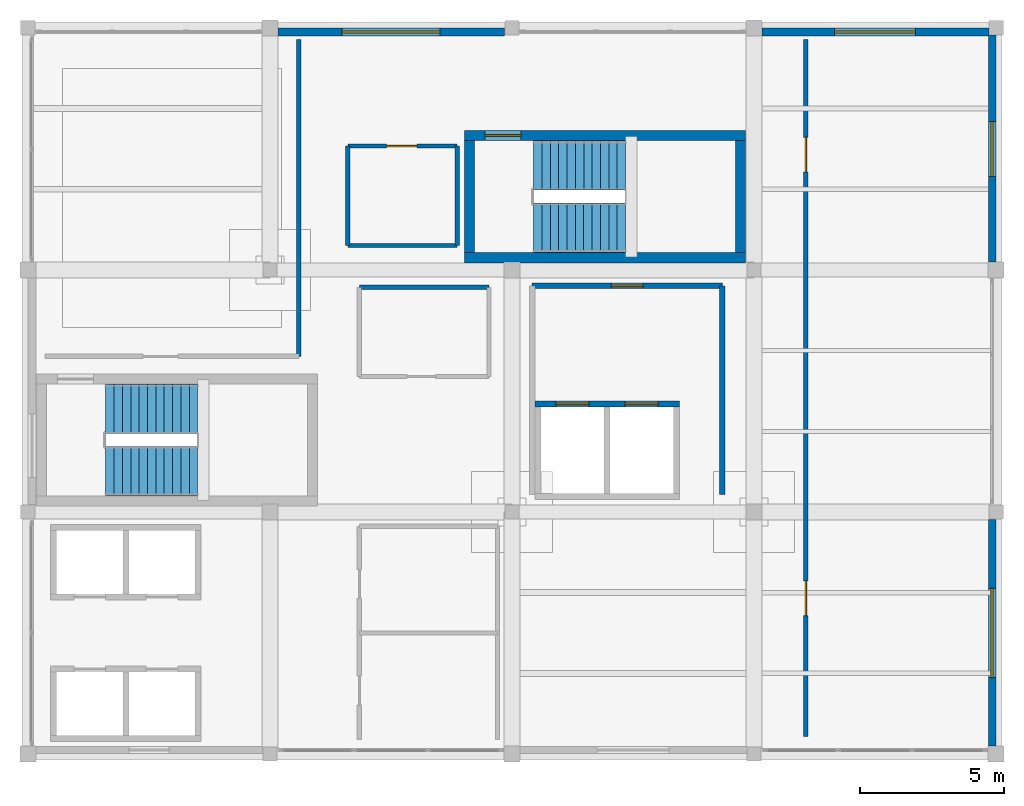
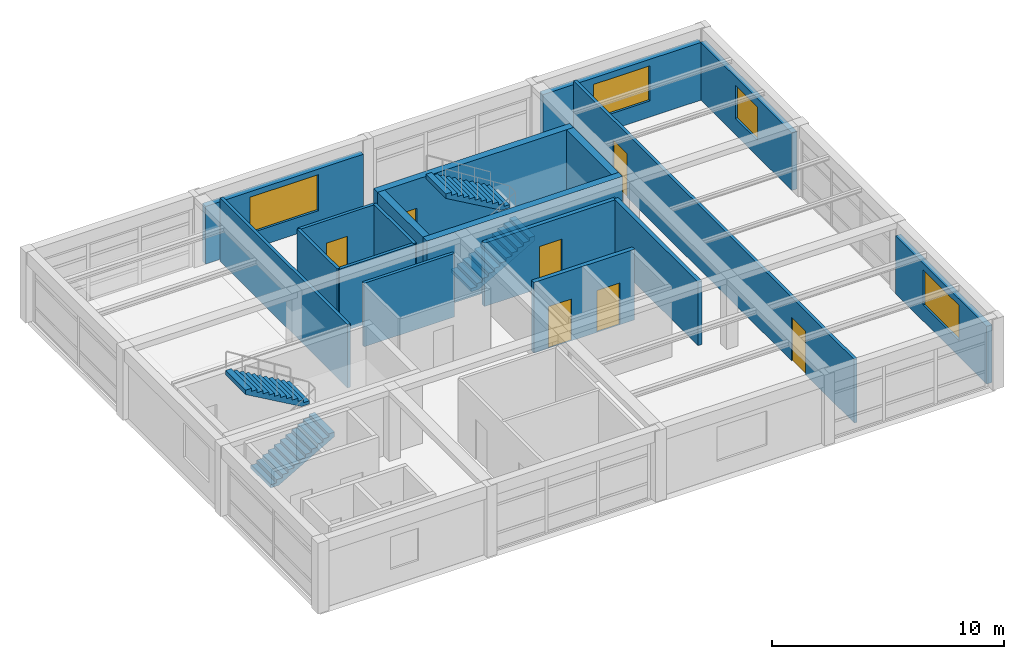
# One storey, part 19 of 20: 18 walls, 7 doors, 4 stair flights, 4 windows, 11 openings, 2 elements without a shape of their own.
"""IFC4 building model written with IfcOpenShell, lengths in metres."""

from ifc_helpers import new_model, si_unit, direction, frame, frame_2d, origin, place, context, subcontext, project, spatial, polyline, rectangle, outline, extrude, material, layer, layer_set, type_object, element, fill, aggregate, save


model = new_model("IFC4")

# Units and contexts
model_context = context("Model", 3, precision=1e-05, world=origin(), true_north=direction((0.0, 1.0)))
body_context = subcontext(model_context, "Body", "Model", "MODEL_VIEW")
ifc_project = project(units=[si_unit("LENGTHUNIT", "METRE"), si_unit("AREAUNIT", "SQUARE_METRE"), si_unit("VOLUMEUNIT", "CUBIC_METRE"), si_unit("PLANEANGLEUNIT", "RADIAN"), si_unit("MASSUNIT", "GRAM", prefix="KILO")], contexts=[model_context])

# Site, building, storey
site_placement = place(None, origin())
site = spatial("IfcSite", under=ifc_project, at=site_placement, CompositionType="ELEMENT")
building_placement = place(site_placement, origin())
building = spatial("IfcBuilding", under=site, at=building_placement, Name="Almacenes y Pasaje Nevantli", CompositionType="ELEMENT")
storey_placement = place(building_placement, frame((0.0, 0.0, 62.699951171875)))
storey = spatial("IfcBuildingStorey", under=building, at=storey_placement, Name="L15", CompositionType="ELEMENT", Elevation=62.699951171875)

# Wall, opening, door
ifc_material_1 = material(Name="Fire-Rated Concrete Blockwork", Category="masonry")
ifc_layer_1 = layer(ifc_material_1, 0.199951171875)
ifc_layer_set_1 = layer_set([ifc_layer_1], Name="Fire-Rated Concrete Blockwork")
wall_type_1 = type_object("IfcWallType", Name="WL-COMP-200", PredefinedType="PARTITIONING", material=ifc_layer_set_1)
wall_1_placement = place(storey_placement, frame((135.10009765625, 83.449951171875, 0.0), z_axis=(0.0, 0.0, 1.0), x_axis=(1.0, 0.0, 0.0)))
wall_1 = element("IfcWall", 1, at=wall_1_placement, inside=storey, type_object=wall_type_1, Name="L15 Interior Partition Wall IW-200 #258", PredefinedType="PARTITIONING", context=body_context, shape_type="SweptSolid", body=[
    extrude(rectangle(XDim=6.599853515625, YDim=0.199951171875, at=frame_2d((3.2998046875, 0.0))), origin(), (0.0, 0.0, 1.0), 3.340087890625),
])
opening_1_placement = place(wall_1_placement, frame((2.75, 0.0, 0.0)))
opening_1 = element("IfcOpeningElement", 2, at=opening_1_placement, cuts=wall_1, Name="Opening ID-L15-137", PredefinedType="OPENING", context=body_context, shape_type="SweptSolid", body=[
    extrude(rectangle(XDim=1.10009765625, YDim=2.199951171875, at=frame_2d((0.550048828125, 1.10009765625))), frame((0.0, 0.10986328125, 0.0), z_axis=(0.0, -1.0, 0.0), x_axis=(1.0, 0.0, 0.0)), (0.0, 0.0, 1.0), 0.219970703125),
])
ifc_material_2 = material(Name="Galvanized Fire-Rated Steel", Category="steel")
door_type_1 = type_object("IfcDoorType", Name="DR-FD90-1100R", OperationType="SINGLE_SWING_RIGHT", PredefinedType="DOOR", material=ifc_material_2)
door_1_placement = place(opening_1_placement, origin())
door_1 = element("IfcDoor", 3, at=door_1_placement, inside=storey, type_object=door_type_1, Name="L15 Firefighting Lobby Door", OperationType="SINGLE_SWING_RIGHT", OverallHeight=2.199951171875, OverallWidth=1.10009765625, PredefinedType="DOOR", context=body_context, shape_type="SweptSolid", body=[
    extrude(rectangle(XDim=1.10009765625, YDim=2.199951171875, at=frame_2d((0.550048828125, 1.10009765625))), frame((0.0, 0.02490234375, 0.0), z_axis=(0.0, -1.0, 0.0), x_axis=(1.0, 0.0, 0.0)), (0.0, 0.0, 1.0), 0.050048828125),
])
fill(opening_1, door_1)

# Walls
wall_2_placement = place(storey_placement, frame((141.699951171875, 76.199951171875, 0.0), z_axis=(0.0, 0.0, 1.0), x_axis=(0.0, 1.0, 0.0)))
element("IfcWall", 4, at=wall_2_placement, inside=storey, type_object=wall_type_1, Name="L15 Interior Partition Wall IW-200 #260", PredefinedType="PARTITIONING", context=body_context, shape_type="SweptSolid", body=[
    extrude(rectangle(XDim=7.25, YDim=0.199951171875, at=frame_2d((3.625, 0.0))), origin(), (0.0, 0.0, 1.0), 3.340087890625),
])
ifc_material_3 = material(Name="Concrete C45/55", Category="concrete")
ifc_layer_2 = layer(ifc_material_3, 0.35009765625)
ifc_layer_set_2 = layer_set([ifc_layer_2], Name="Concrete C45/55")
wall_type_2 = type_object("IfcWallType", Name="WL-CORE-350", PredefinedType="SHEAR", material=ifc_layer_set_2)
wall_3_placement = place(storey_placement, frame((132.75, 84.425048828125, 0.0), z_axis=(0.0, 0.0, 1.0), x_axis=(1.0, 0.0, 0.0)))
element("IfcWall", 5, at=wall_3_placement, inside=storey, type_object=wall_type_2, Name="L15 Exit Stair ST-02 South Core Shear Wall", PredefinedType="SHEAR", context=body_context, shape_type="SweptSolid", body=[
    extrude(rectangle(XDim=9.75, YDim=0.35009765625, at=frame_2d((4.875, 0.0))), origin(), (0.0, 0.0, 1.0), 3.719970703125),
])

# Wall, opening, door
wall_4_placement = place(storey_placement, frame((132.75, 88.6650390625, 0.0), z_axis=(0.0, 0.0, 1.0), x_axis=(1.0, 0.0, 0.0)))
wall_4 = element("IfcWall", 6, at=wall_4_placement, inside=storey, type_object=wall_type_2, Name="L15 Exit Stair ST-02 North Core Shear Wall", PredefinedType="SHEAR", context=body_context, shape_type="SweptSolid", body=[
    extrude(rectangle(XDim=9.75, YDim=0.35009765625, at=frame_2d((4.875, 0.0))), origin(), (0.0, 0.0, 1.0), 3.719970703125),
])
opening_2_placement = place(wall_4_placement, frame((0.719970703125, 0.0, 0.0)))
opening_2 = element("IfcOpeningElement", 7, at=opening_2_placement, cuts=wall_4, Name="Opening SD-02-L15", PredefinedType="OPENING", context=body_context, shape_type="SweptSolid", body=[
    extrude(rectangle(XDim=1.25, YDim=2.199951171875, at=frame_2d((0.625, 1.10009765625))), frame((0.0, 0.18505859375, 0.0), z_axis=(0.0, -1.0, 0.0), x_axis=(1.0, 0.0, 0.0)), (0.0, 0.0, 1.0), 0.3701171875),
])
ifc_material_4 = material(Name="Galvanized Fire-Rated Steel", Category="steel")
door_type_2 = type_object("IfcDoorType", Name="DR-STAIR-1250R", OperationType="SINGLE_SWING_RIGHT", PredefinedType="DOOR", material=ifc_material_4)
door_2_placement = place(opening_2_placement, origin())
door_2 = element("IfcDoor", 8, at=door_2_placement, inside=storey, type_object=door_type_2, Name="L15 Smokeproof Exit Stair ST-02 Fire Door", OperationType="SINGLE_SWING_RIGHT", OverallHeight=2.199951171875, OverallWidth=1.25, PredefinedType="DOOR", context=body_context, shape_type="SweptSolid", body=[
    extrude(rectangle(XDim=1.25, YDim=2.199951171875, at=frame_2d((0.625, 1.10009765625))), frame((0.0, 0.02490234375, 0.0), z_axis=(0.0, -1.0, 0.0), x_axis=(1.0, 0.0, 0.0)), (0.0, 0.0, 1.0), 0.050048828125),
])
fill(opening_2, door_2)

# Walls
for number, where, z_axis, x_axis, name in (
    (9, (132.925048828125, 84.60009765625, 0.0), (0.0, 0.0, 1.0), (0.0, 1.0, 0.0), "L15 Exit Stair ST-02 West Core Shear Wall"),
    (10, (142.324951171875, 84.60009765625, 0.0), (0.0, 0.0, 1.0), (0.0, 1.0, 0.0), "L15 Exit Stair ST-02 East Core Shear Wall"),
):
    element("IfcWall", number, at=place(storey_placement, frame(where, z_axis=z_axis, x_axis=x_axis)), inside=storey, type_object=wall_type_2, Name=name, PredefinedType="SHEAR", context=body_context, shape_type="SweptSolid", body=[
        extrude(rectangle(XDim=3.889892578125, YDim=0.35009765625, at=frame_2d((1.94482421875, 0.0))), origin(), (0.0, 0.0, 1.0), 3.719970703125),
    ])

# Wall, opening, window
ifc_material_5 = material(Name="Architectural Precast Concrete C35/45 Spandrel Wall", Category="concrete")
ifc_layer_3 = layer(ifc_material_5, 0.280029296875)
ifc_layer_set_3 = layer_set([ifc_layer_3], Name="Architectural Precast Concrete C35/45 Spandrel Wall")
wall_type_3 = type_object("IfcWallType", Name="WL-EXT-CANTERA-280", PredefinedType="SOLIDWALL", material=ifc_layer_set_3)
wall_5_placement = place(storey_placement, frame((126.278076171875, 92.260009765625, 0.0), z_axis=(0.0, 0.0, 1.0), x_axis=(1.0, 0.0, 0.0)))
wall_5 = element("IfcWall", 11, at=wall_5_placement, inside=storey, type_object=wall_type_3, Name="L15 Tower North Polychrome Cantera Wall Bay 16", PredefinedType="SOLIDWALL", context=body_context, shape_type="SweptSolid", body=[
    extrude(rectangle(XDim=7.867919921875, YDim=0.280029296875, at=frame_2d((3.93408203125, 0.0))), origin(), (0.0, 0.0, 1.0), 3.0400390625),
])
opening_3_placement = place(wall_5_placement, frame((2.221923828125, 0.0, 0.85009765625)))
opening_3 = element("IfcOpeningElement", 12, at=opening_3_placement, cuts=wall_5, Name="Opening WT-27-276", PredefinedType="OPENING", context=body_context, shape_type="SweptSolid", body=[
    extrude(rectangle(XDim=3.39990234375, YDim=1.89990234375, at=frame_2d((1.699951171875, 0.949951171875))), frame((0.0, 0.14990234375, 0.0), z_axis=(0.0, -1.0, 0.0), x_axis=(1.0, 0.0, 0.0)), (0.0, 0.0, 1.0), 0.300048828125),
])
ifc_material_6 = material(Name="Thermally Broken Aluminium and Low-E Double Glazing", Category="aluminium")
window_type_1 = type_object("IfcWindowType", Name="WN-TWR-3400x1900", PartitioningType="SINGLE_PANEL", PredefinedType="WINDOW", material=ifc_material_6)
window_1_placement = place(opening_3_placement, origin())
window_1 = element("IfcWindow", 13, at=window_1_placement, inside=storey, type_object=window_type_1, Name="L15 Exterior Window WT-27 #276", OverallHeight=1.89990234375, OverallWidth=3.39990234375, PartitioningType="SINGLE_PANEL", PredefinedType="WINDOW", context=body_context, shape_type="SweptSolid", body=[
    extrude(rectangle(XDim=3.39990234375, YDim=1.89990234375, at=frame_2d((1.699951171875, 0.949951171875))), frame((0.0, 0.030029296875, 0.0), z_axis=(0.0, -1.0, 0.0), x_axis=(1.0, 0.0, 0.0)), (0.0, 0.0, 1.0), 0.06005859375),
])
fill(opening_3, window_1)

wall_6_placement = place(storey_placement, frame((143.077880859375, 92.260009765625, 0.0), z_axis=(0.0, 0.0, 1.0), x_axis=(1.0, 0.0, 0.0)))
wall_6 = element("IfcWall", 14, at=wall_6_placement, inside=storey, type_object=wall_type_3, Name="L15 Tower North Polychrome Cantera Wall Bay 18", PredefinedType="SOLIDWALL", context=body_context, shape_type="SweptSolid", body=[
    extrude(rectangle(XDim=7.8681640625, YDim=0.280029296875, at=frame_2d((3.93408203125, 0.0))), origin(), (0.0, 0.0, 1.0), 3.0400390625),
])
opening_4_placement = place(wall_6_placement, frame((2.52197265625, 0.0, 0.85009765625)))
opening_4 = element("IfcOpeningElement", 15, at=opening_4_placement, cuts=wall_6, Name="Opening WT-29-278", PredefinedType="OPENING", context=body_context, shape_type="SweptSolid", body=[
    extrude(rectangle(XDim=2.800048828125, YDim=1.85009765625, at=frame_2d((1.39990234375, 0.925048828125))), frame((0.0, 0.14990234375, 0.0), z_axis=(0.0, -1.0, 0.0), x_axis=(1.0, 0.0, 0.0)), (0.0, 0.0, 1.0), 0.300048828125),
])
ifc_material_7 = material(Name="Thermally Broken Aluminium and Low-E Double Glazing", Category="aluminium")
window_type_2 = type_object("IfcWindowType", Name="WN-TWR-2800x1850", PartitioningType="SINGLE_PANEL", PredefinedType="WINDOW", material=ifc_material_7)
window_2_placement = place(opening_4_placement, origin())
window_2 = element("IfcWindow", 16, at=window_2_placement, inside=storey, type_object=window_type_2, Name="L15 Exterior Window WT-29 #278", OverallHeight=1.85009765625, OverallWidth=2.800048828125, PartitioningType="SINGLE_PANEL", PredefinedType="WINDOW", context=body_context, shape_type="SweptSolid", body=[
    extrude(rectangle(XDim=2.800048828125, YDim=1.85009765625, at=frame_2d((1.39990234375, 0.925048828125))), frame((0.0, 0.030029296875, 0.0), z_axis=(0.0, -1.0, 0.0), x_axis=(1.0, 0.0, 0.0)), (0.0, 0.0, 1.0), 0.06005859375),
])
fill(opening_4, window_2)

ifc_material_8 = material(Name="Cream Architectural Precast Concrete C35/45 Wall", Category="concrete")
ifc_layer_4 = layer(ifc_material_8, 0.260009765625)
ifc_layer_set_4 = layer_set([ifc_layer_4], Name="Cream Architectural Precast Concrete C35/45 Wall")
wall_type_4 = type_object("IfcWallType", Name="WL-EXT-PRECAST-260", PredefinedType="SOLIDWALL", material=ifc_layer_set_4)
wall_7_placement = place(storey_placement, frame((151.06005859375, 67.47802734375, 0.0), z_axis=(0.0, 0.0, 1.0), x_axis=(0.0, 1.0, 0.0)))
wall_7 = element("IfcWall", 17, at=wall_7_placement, inside=storey, type_object=wall_type_4, Name="L15 Tower East Precast Wall Bay 9", PredefinedType="SOLIDWALL", context=body_context, shape_type="SweptSolid", body=[
    extrude(rectangle(XDim=7.867919921875, YDim=0.260009765625, at=frame_2d((3.93408203125, 0.0))), origin(), (0.0, 0.0, 1.0), 3.0400390625),
])
opening_5_placement = place(wall_7_placement, frame((2.3720703125, 0.0, 0.85009765625)))
opening_5 = element("IfcOpeningElement", 18, at=opening_5_placement, cuts=wall_7, Name="Opening WT-28-279", PredefinedType="OPENING", context=body_context, shape_type="SweptSolid", body=[
    extrude(rectangle(XDim=3.10009765625, YDim=1.85009765625, at=frame_2d((1.550048828125, 0.925048828125))), frame((0.0, 0.139892578125, 0.0), z_axis=(0.0, -1.0, 0.0), x_axis=(1.0, 0.0, 0.0)), (0.0, 0.0, 1.0), 0.280029296875),
])
ifc_material_9 = material(Name="Thermally Broken Aluminium and Low-E Double Glazing", Category="aluminium")
window_type_3 = type_object("IfcWindowType", Name="WN-TWR-3100x1850", PartitioningType="SINGLE_PANEL", PredefinedType="WINDOW", material=ifc_material_9)
window_3_placement = place(opening_5_placement, origin())
window_3 = element("IfcWindow", 19, at=window_3_placement, inside=storey, type_object=window_type_3, Name="L15 Exterior Window WT-28 #279", OverallHeight=1.85009765625, OverallWidth=3.10009765625, PartitioningType="SINGLE_PANEL", PredefinedType="WINDOW", context=body_context, shape_type="SweptSolid", body=[
    extrude(rectangle(XDim=3.10009765625, YDim=1.85009765625, at=frame_2d((1.550048828125, 0.925048828125))), frame((0.0, 0.030029296875, 0.0), z_axis=(0.0, -1.0, 0.0), x_axis=(1.0, 0.0, 0.0)), (0.0, 0.0, 1.0), 0.06005859375),
])
fill(opening_5, window_3)

wall_8_placement = place(storey_placement, frame((151.06005859375, 84.278076171875, 0.0), z_axis=(0.0, 0.0, 1.0), x_axis=(0.0, 1.0, 0.0)))
wall_8 = element("IfcWall", 20, at=wall_8_placement, inside=storey, type_object=wall_type_4, Name="L15 Tower East Precast Wall Bay 11", PredefinedType="SOLIDWALL", context=body_context, shape_type="SweptSolid", body=[
    extrude(rectangle(XDim=7.869873046875, YDim=0.260009765625, at=frame_2d((3.93505859375, 0.0))), origin(), (0.0, 0.0, 1.0), 3.0400390625),
])
opening_6_placement = place(wall_8_placement, frame((2.971923828125, 0.0, 0.85009765625)))
opening_6 = element("IfcOpeningElement", 21, at=opening_6_placement, cuts=wall_8, Name="Opening WT-32-281", PredefinedType="OPENING", context=body_context, shape_type="SweptSolid", body=[
    extrude(rectangle(XDim=1.89990234375, YDim=1.75, at=frame_2d((0.949951171875, 0.875))), frame((0.0, 0.139892578125, 0.0), z_axis=(0.0, -1.0, 0.0), x_axis=(1.0, 0.0, 0.0)), (0.0, 0.0, 1.0), 0.280029296875),
])
ifc_material_10 = material(Name="Thermally Broken Aluminium and Low-E Double Glazing", Category="aluminium")
window_type_4 = type_object("IfcWindowType", Name="WN-TWR-1900x1750", PartitioningType="SINGLE_PANEL", PredefinedType="WINDOW", material=ifc_material_10)
window_4_placement = place(opening_6_placement, origin())
window_4 = element("IfcWindow", 22, at=window_4_placement, inside=storey, type_object=window_type_4, Name="L15 Exterior Window WT-32 #281", OverallHeight=1.75, OverallWidth=1.89990234375, PartitioningType="SINGLE_PANEL", PredefinedType="WINDOW", context=body_context, shape_type="SweptSolid", body=[
    extrude(rectangle(XDim=1.89990234375, YDim=1.75, at=frame_2d((0.949951171875, 0.875))), frame((0.0, 0.030029296875, 0.0), z_axis=(0.0, -1.0, 0.0), x_axis=(1.0, 0.0, 0.0)), (0.0, 0.0, 1.0), 0.06005859375),
])
fill(opening_6, window_4)

# Wall
ifc_material_11 = material(Name="Acoustic Steel-Stud Gypsum Partition", Category="steel")
ifc_layer_5 = layer(ifc_material_11, 0.14990234375)
ifc_layer_set_5 = layer_set([ifc_layer_5], Name="Acoustic Steel-Stud Gypsum Partition")
wall_type_5 = type_object("IfcWallType", Name="WL-PART-150", PredefinedType="PARTITIONING", material=ifc_layer_set_5)
wall_9_placement = place(storey_placement, frame((129.10009765625, 83.39990234375, 0.0), z_axis=(0.0, 0.0, 1.0), x_axis=(1.0, 0.0, 0.0)))
element("IfcWall", 23, at=wall_9_placement, inside=storey, type_object=wall_type_5, Name="L15 Interior Partition Wall IW-150 #262", PredefinedType="PARTITIONING", context=body_context, shape_type="SweptSolid", body=[
    extrude(rectangle(XDim=4.5, YDim=0.14990234375, at=frame_2d((2.25, 0.0))), origin(), (0.0, 0.0, 1.0), 3.340087890625),
])

# Wall, opening, door
wall_10_placement = place(storey_placement, frame((128.699951171875, 88.300048828125, 0.0), z_axis=(0.0, 0.0, 1.0), x_axis=(1.0, 0.0, 0.0)))
wall_10 = element("IfcWall", 24, at=wall_10_placement, inside=storey, type_object=wall_type_5, Name="L15 Interior Partition Wall IW-150 #265", PredefinedType="PARTITIONING", context=body_context, shape_type="SweptSolid", body=[
    extrude(rectangle(XDim=3.800048828125, YDim=0.14990234375, at=frame_2d((1.89990234375, 0.0))), origin(), (0.0, 0.0, 1.0), 3.340087890625),
])
opening_7_placement = place(wall_10_placement, frame((1.35009765625, 0.0, 0.0)))
opening_7 = element("IfcOpeningElement", 25, at=opening_7_placement, cuts=wall_10, Name="Opening ID-L15-139", PredefinedType="OPENING", context=body_context, shape_type="SweptSolid", body=[
    extrude(rectangle(XDim=1.050048828125, YDim=2.14990234375, at=frame_2d((0.52490234375, 1.074951171875))), frame((0.0, 0.0849609375, 0.0), z_axis=(0.0, -1.0, 0.0), x_axis=(1.0, 0.0, 0.0)), (0.0, 0.0, 1.0), 0.169921875),
])
ifc_material_12 = material(Name="Powder-Coated Hollow Metal", Category="steel")
door_type_3 = type_object("IfcDoorType", Name="DR-ACC-1050", OperationType="SINGLE_SWING_RIGHT", PredefinedType="DOOR", material=ifc_material_12)
door_3_placement = place(opening_7_placement, origin())
door_3 = element("IfcDoor", 26, at=door_3_placement, inside=storey, type_object=door_type_3, Name="L15 Accessible WC Door", OperationType="SINGLE_SWING_RIGHT", OverallHeight=2.14990234375, OverallWidth=1.050048828125, PredefinedType="DOOR", context=body_context, shape_type="SweptSolid", body=[
    extrude(rectangle(XDim=1.050048828125, YDim=2.14990234375, at=frame_2d((0.52490234375, 1.074951171875))), frame((0.0, 0.02490234375, 0.0), z_axis=(0.0, -1.0, 0.0), x_axis=(1.0, 0.0, 0.0)), (0.0, 0.0, 1.0), 0.050048828125),
])
fill(opening_7, door_3)

# Walls
wall_11_placement = place(storey_placement, frame((128.699951171875, 84.85009765625, 0.0), z_axis=(0.0, 0.0, 1.0), x_axis=(1.0, 0.0, 0.0)))
element("IfcWall", 27, at=wall_11_placement, inside=storey, type_object=wall_type_5, Name="L15 Interior Partition Wall IW-150 #266", PredefinedType="PARTITIONING", context=body_context, shape_type="SweptSolid", body=[
    extrude(rectangle(XDim=3.800048828125, YDim=0.14990234375, at=frame_2d((1.89990234375, 0.0))), origin(), (0.0, 0.0, 1.0), 3.340087890625),
])
for number, where, z_axis, x_axis, name in (
    (28, (128.699951171875, 84.85009765625, 0.0), (0.0, 0.0, 1.0), (0.0, 1.0, 0.0), "L15 Interior Partition Wall IW-150 #267"),
    (29, (132.5, 84.85009765625, 0.0), (0.0, 0.0, 1.0), (0.0, 1.0, 0.0), "L15 Interior Partition Wall IW-150 #268"),
):
    element("IfcWall", number, at=place(storey_placement, frame(where, z_axis=z_axis, x_axis=x_axis)), inside=storey, type_object=wall_type_5, Name=name, PredefinedType="PARTITIONING", context=body_context, shape_type="SweptSolid", body=[
        extrude(rectangle(XDim=3.449951171875, YDim=0.14990234375, at=frame_2d((1.72509765625, 0.0))), origin(), (0.0, 0.0, 1.0), 3.340087890625),
    ])

# Wall, openings, doors
wall_12_placement = place(storey_placement, frame((144.60009765625, 67.800048828125, 0.0), z_axis=(0.0, 0.0, 1.0), x_axis=(0.0, 1.0, 0.0)))
wall_12 = element("IfcWall", 30, at=wall_12_placement, inside=storey, type_object=wall_type_5, Name="L15 Interior Partition Wall IW-150 #273", PredefinedType="PARTITIONING", context=body_context, shape_type="SweptSolid", body=[
    extrude(rectangle(XDim=24.199951171875, YDim=0.14990234375, at=frame_2d((12.10009765625, 0.0))), origin(), (0.0, 0.0, 1.0), 3.340087890625),
])
opening_8_placement = place(wall_12_placement, frame((4.199951171875, 0.0, 0.0)))
opening_8 = element("IfcOpeningElement", 31, at=opening_8_placement, cuts=wall_12, Name="Opening ID-L15-142", PredefinedType="OPENING", context=body_context, shape_type="SweptSolid", body=[
    extrude(rectangle(XDim=1.199951171875, YDim=2.300048828125, at=frame_2d((0.60009765625, 1.14990234375))), frame((0.0, 0.0849609375, 0.0), z_axis=(0.0, -1.0, 0.0), x_axis=(1.0, 0.0, 0.0)), (0.0, 0.0, 1.0), 0.169921875),
])
opening_9_placement = place(wall_12_placement, frame((19.60009765625, 0.0, 0.0)))
opening_9 = element("IfcOpeningElement", 32, at=opening_9_placement, cuts=wall_12, Name="Opening ID-L15-143", PredefinedType="OPENING", context=body_context, shape_type="SweptSolid", body=[
    extrude(rectangle(XDim=1.199951171875, YDim=2.300048828125, at=frame_2d((0.60009765625, 1.14990234375))), frame((0.0, 0.0849609375, 0.0), z_axis=(0.0, -1.0, 0.0), x_axis=(1.0, 0.0, 0.0)), (0.0, 0.0, 1.0), 0.169921875),
])
ifc_material_13 = material(Name="Anodized Aluminium and Tempered Acoustic Glass", Category="aluminium")
door_type_4 = type_object("IfcDoorType", Name="DR-ACU-1200", OperationType="SINGLE_SWING_LEFT", PredefinedType="DOOR", material=ifc_material_13)
door_4_placement = place(opening_8_placement, origin())
door_4 = element("IfcDoor", 33, at=door_4_placement, inside=storey, type_object=door_type_4, Name="L15 L15 Executive Suite South Door", OperationType="SINGLE_SWING_LEFT", OverallHeight=2.300048828125, OverallWidth=1.199951171875, PredefinedType="DOOR", context=body_context, shape_type="SweptSolid", body=[
    extrude(rectangle(XDim=1.199951171875, YDim=2.300048828125, at=frame_2d((0.60009765625, 1.14990234375))), frame((0.0, 0.02490234375, 0.0), z_axis=(0.0, -1.0, 0.0), x_axis=(1.0, 0.0, 0.0)), (0.0, 0.0, 1.0), 0.050048828125),
])
fill(opening_8, door_4)
ifc_material_14 = material(Name="Anodized Aluminium and Tempered Acoustic Glass", Category="aluminium")
door_type_5 = type_object("IfcDoorType", Name="DR-ACU-1200R", OperationType="SINGLE_SWING_RIGHT", PredefinedType="DOOR", material=ifc_material_14)
door_5_placement = place(opening_9_placement, origin())
door_5 = element("IfcDoor", 34, at=door_5_placement, inside=storey, type_object=door_type_5, Name="L15 L15 Executive Suite North Door", OperationType="SINGLE_SWING_RIGHT", OverallHeight=2.300048828125, OverallWidth=1.199951171875, PredefinedType="DOOR", context=body_context, shape_type="SweptSolid", body=[
    extrude(rectangle(XDim=1.199951171875, YDim=2.300048828125, at=frame_2d((0.60009765625, 1.14990234375))), frame((0.0, 0.02490234375, 0.0), z_axis=(0.0, -1.0, 0.0), x_axis=(1.0, 0.0, 0.0)), (0.0, 0.0, 1.0), 0.050048828125),
])
fill(opening_9, door_5)

# Wall
wall_13_placement = place(storey_placement, frame((127.0, 81.0, 0.0), z_axis=(0.0, 0.0, 1.0), x_axis=(0.0, 1.0, 0.0)))
element("IfcWall", 35, at=wall_13_placement, inside=storey, type_object=wall_type_5, Name="L15 Interior Partition Wall IW-150 #275", PredefinedType="PARTITIONING", context=body_context, shape_type="SweptSolid", body=[
    extrude(rectangle(XDim=11.0, YDim=0.14990234375, at=frame_2d((5.5, 0.0))), origin(), (0.0, 0.0, 1.0), 3.340087890625),
])

# Wall, openings, doors
ifc_material_15 = material(Name="Concrete C45/55", Category="concrete")
ifc_layer_6 = layer(ifc_material_15, 0.2099609375)
ifc_layer_set_6 = layer_set([ifc_layer_6], Name="Concrete C45/55")
wall_type_6 = type_object("IfcWallType", Name="WL-SHAFT-210", PredefinedType="SHEAR", material=ifc_layer_set_6)
wall_14_placement = place(storey_placement, frame((135.18994140625, 79.35498046875, 0.0), z_axis=(0.0, 0.0, 1.0), x_axis=(1.0, 0.0, 0.0)))
wall_14 = element("IfcWall", 36, at=wall_14_placement, inside=storey, type_object=wall_type_6, Name="L15 Lift Hoistway ELV-FF1-ELV-FF2 North Wall", PredefinedType="SHEAR", context=body_context, shape_type="SweptSolid", body=[
    extrude(rectangle(XDim=5.02001953125, YDim=0.2099609375, at=frame_2d((2.510009765625, 0.0))), origin(), (0.0, 0.0, 1.0), 3.719970703125),
])
opening_10_placement = place(wall_14_placement, frame((0.735107421875, 0.0, 0.0)))
opening_10 = element("IfcOpeningElement", 37, at=opening_10_placement, cuts=wall_14, Name="Opening LD-FF1-L15", PredefinedType="OPENING", context=body_context, shape_type="SweptSolid", body=[
    extrude(rectangle(XDim=1.14990234375, YDim=2.199951171875, at=frame_2d((0.574951171875, 1.10009765625))), frame((0.0, 0.114990234375, 0.0), z_axis=(0.0, -1.0, 0.0), x_axis=(1.0, 0.0, 0.0)), (0.0, 0.0, 1.0), 0.22998046875),
])
opening_11_placement = place(wall_14_placement, frame((3.135009765625, 0.0, 0.0)))
opening_11 = element("IfcOpeningElement", 38, at=opening_11_placement, cuts=wall_14, Name="Opening LD-FF2-L15", PredefinedType="OPENING", context=body_context, shape_type="SweptSolid", body=[
    extrude(rectangle(XDim=1.14990234375, YDim=2.199951171875, at=frame_2d((0.574951171875, 1.10009765625))), frame((0.0, 0.114990234375, 0.0), z_axis=(0.0, -1.0, 0.0), x_axis=(1.0, 0.0, 0.0)), (0.0, 0.0, 1.0), 0.22998046875),
])
ifc_material_16 = material(Name="Fire-Rated Stainless Steel", Category="steel")
door_type_6 = type_object("IfcDoorType", Name="DR-LD-FF-1150", OperationType="DOUBLE_DOOR_SLIDING", PredefinedType="DOOR", material=ifc_material_16)
door_6_placement = place(opening_10_placement, origin())
door_6 = element("IfcDoor", 39, at=door_6_placement, inside=storey, type_object=door_type_6, Name="Lift Landing Door ELV-FF1 L15", OperationType="DOUBLE_DOOR_SLIDING", OverallHeight=2.199951171875, OverallWidth=1.14990234375, PredefinedType="DOOR", context=body_context, shape_type="SweptSolid", body=[
    extrude(rectangle(XDim=1.14990234375, YDim=2.199951171875, at=frame_2d((0.574951171875, 1.10009765625))), frame((0.0, 0.02490234375, 0.0), z_axis=(0.0, -1.0, 0.0), x_axis=(1.0, 0.0, 0.0)), (0.0, 0.0, 1.0), 0.050048828125),
])
fill(opening_10, door_6)
door_7_placement = place(opening_11_placement, origin())
door_7 = element("IfcDoor", 40, at=door_7_placement, inside=storey, type_object=door_type_6, Name="Lift Landing Door ELV-FF2 L15", OperationType="DOUBLE_DOOR_SLIDING", OverallHeight=2.199951171875, OverallWidth=1.14990234375, PredefinedType="DOOR", context=body_context, shape_type="SweptSolid", body=[
    extrude(rectangle(XDim=1.14990234375, YDim=2.199951171875, at=frame_2d((0.574951171875, 1.10009765625))), frame((0.0, 0.02490234375, 0.0), z_axis=(0.0, -1.0, 0.0), x_axis=(1.0, 0.0, 0.0)), (0.0, 0.0, 1.0), 0.050048828125),
])
fill(opening_11, door_7)

# Stair, stair flights
ifc_material_17 = material(Name="Concrete C35/45", Category="concrete")
stair_type = type_object("IfcStairType", Name="STR-CORE-1720", PredefinedType="HALF_TURN_STAIR", material=ifc_material_17)
stair_1_placement = place(storey_placement, origin())
stair_1 = element("IfcStair", 41, at=stair_1_placement, inside=storey, type_object=stair_type, Name="L15 Staircase ST-01", PredefinedType="HALF_TURN_STAIR")
ifc_material_18 = material(Name="Concrete C35/45", Category="concrete")
ifc_layer_7 = layer(ifc_material_18, 0.199951171875)
ifc_layer_set_7 = layer_set([ifc_layer_7], Name="Concrete C35/45")
stair_flight_type = type_object("IfcStairFlightType", Name="SFL-RC-200", PredefinedType="STRAIGHT", material=ifc_layer_set_7)
stair_flight_1_placement = place(storey_placement, frame((120.300048828125, 77.010009765625, 0.0), z_axis=(0.0, 0.0, 1.0), x_axis=(1.0, 0.0, 0.0)))
stair_flight_1 = element("IfcStairFlight", 42, at=stair_flight_1_placement, type_object=stair_flight_type, Name="ST-01-L15 flight 1", NumberOfRisers=12, NumberOfTreads=11, PredefinedType="STRAIGHT", RiserHeight=0.166667, TreadLength=0.29, context=body_context, shape_type="SweptSolid", body=[
    extrude(outline(polyline([(0.0, 0.0), (0.0, 0.166748046875), (0.2900390625, 0.166748046875), (0.2900390625, 0.333251953125), (0.580078125, 0.333251953125), (0.580078125, 0.5), (0.8701171875, 0.5), (0.8701171875, 0.666748046875), (1.159912109375, 0.666748046875), (1.159912109375, 0.833251953125), (1.449951171875, 0.833251953125), (1.449951171875, 1.0), (1.739990234375, 1.0), (1.739990234375, 1.166748046875), (2.030029296875, 1.166748046875), (2.030029296875, 1.333251953125), (2.320068359375, 1.333251953125), (2.320068359375, 1.5), (2.610107421875, 1.5), (2.610107421875, 1.666748046875), (2.89990234375, 1.666748046875), (2.89990234375, 1.833251953125), (3.18994140625, 1.833251953125), (3.18994140625, 2.0), (3.18994140625, 1.602783203125), (0.4013671875, 0.0), (0.0, 0.0)])), frame((0.0, 0.85986328125, 0.0), z_axis=(0.0, -1.0, 0.0), x_axis=(1.0, 0.0, 0.0)), (0.0, 0.0, 1.0), 1.719970703125),
])
stair_flight_2_placement = place(storey_placement, frame((123.489990234375, 79.179931640625, 2.0), z_axis=(0.0, 0.0, 1.0), x_axis=(-1.0, 0.0, 0.0)))
stair_flight_2 = element("IfcStairFlight", 43, at=stair_flight_2_placement, type_object=stair_flight_type, Name="ST-01-L15 flight 2", NumberOfRisers=12, NumberOfTreads=11, PredefinedType="STRAIGHT", RiserHeight=0.166667, TreadLength=0.29, context=body_context, shape_type="SweptSolid", body=[
    extrude(outline(polyline([(0.0, 0.0), (0.0, 0.166748046875), (0.2900390625, 0.166748046875), (0.2900390625, 0.333251953125), (0.580078125, 0.333251953125), (0.580078125, 0.5), (0.8701171875, 0.5), (0.8701171875, 0.666748046875), (1.159912109375, 0.666748046875), (1.159912109375, 0.833251953125), (1.449951171875, 0.833251953125), (1.449951171875, 1.0), (1.739990234375, 1.0), (1.739990234375, 1.166748046875), (2.030029296875, 1.166748046875), (2.030029296875, 1.333251953125), (2.320068359375, 1.333251953125), (2.320068359375, 1.5), (2.610107421875, 1.5), (2.610107421875, 1.666748046875), (2.89990234375, 1.666748046875), (2.89990234375, 1.833251953125), (3.18994140625, 1.833251953125), (3.18994140625, 2.0), (3.18994140625, 1.602783203125), (0.4013671875, 0.0), (0.0, 0.0)])), frame((0.0, 0.85986328125, 0.0), z_axis=(0.0, -1.0, 0.0), x_axis=(1.0, 0.0, 0.0)), (0.0, 0.0, 1.0), 1.719970703125),
])
aggregate(stair_1, [stair_flight_1, stair_flight_2])

stair_2_placement = place(storey_placement, origin())
stair_2 = element("IfcStair", 44, at=stair_2_placement, inside=storey, type_object=stair_type, Name="L15 Staircase ST-02", PredefinedType="HALF_TURN_STAIR")
stair_flight_3_placement = place(storey_placement, frame((135.14990234375, 85.4599609375, 0.0), z_axis=(0.0, 0.0, 1.0), x_axis=(1.0, 0.0, 0.0)))
stair_flight_3 = element("IfcStairFlight", 45, at=stair_flight_3_placement, type_object=stair_flight_type, Name="ST-02-L15 flight 1", NumberOfRisers=12, NumberOfTreads=11, PredefinedType="STRAIGHT", RiserHeight=0.166667, TreadLength=0.29, context=body_context, shape_type="SweptSolid", body=[
    extrude(outline(polyline([(0.0, 0.0), (0.0, 0.166748046875), (0.2900390625, 0.166748046875), (0.2900390625, 0.333251953125), (0.580078125, 0.333251953125), (0.580078125, 0.5), (0.8701171875, 0.5), (0.8701171875, 0.666748046875), (1.159912109375, 0.666748046875), (1.159912109375, 0.833251953125), (1.449951171875, 0.833251953125), (1.449951171875, 1.0), (1.739990234375, 1.0), (1.739990234375, 1.166748046875), (2.030029296875, 1.166748046875), (2.030029296875, 1.333251953125), (2.320068359375, 1.333251953125), (2.320068359375, 1.5), (2.610107421875, 1.5), (2.610107421875, 1.666748046875), (2.89990234375, 1.666748046875), (2.89990234375, 1.833251953125), (3.18994140625, 1.833251953125), (3.18994140625, 2.0), (3.18994140625, 1.602783203125), (0.4013671875, 0.0), (0.0, 0.0)])), frame((0.0, 0.85986328125, 0.0), z_axis=(0.0, -1.0, 0.0), x_axis=(1.0, 0.0, 0.0)), (0.0, 0.0, 1.0), 1.719970703125),
])
stair_flight_4_placement = place(storey_placement, frame((138.340087890625, 87.6298828125, 2.0), z_axis=(0.0, 0.0, 1.0), x_axis=(-1.0, 0.0, 0.0)))
stair_flight_4 = element("IfcStairFlight", 46, at=stair_flight_4_placement, type_object=stair_flight_type, Name="ST-02-L15 flight 2", NumberOfRisers=12, NumberOfTreads=11, PredefinedType="STRAIGHT", RiserHeight=0.166667, TreadLength=0.29, context=body_context, shape_type="SweptSolid", body=[
    extrude(outline(polyline([(0.0, 0.0), (0.0, 0.166748046875), (0.2900390625, 0.166748046875), (0.2900390625, 0.333251953125), (0.580078125, 0.333251953125), (0.580078125, 0.5), (0.8701171875, 0.5), (0.8701171875, 0.666748046875), (1.159912109375, 0.666748046875), (1.159912109375, 0.833251953125), (1.449951171875, 0.833251953125), (1.449951171875, 1.0), (1.739990234375, 1.0), (1.739990234375, 1.166748046875), (2.030029296875, 1.166748046875), (2.030029296875, 1.333251953125), (2.320068359375, 1.333251953125), (2.320068359375, 1.5), (2.610107421875, 1.5), (2.610107421875, 1.666748046875), (2.89990234375, 1.666748046875), (2.89990234375, 1.833251953125), (3.18994140625, 1.833251953125), (3.18994140625, 2.0), (3.18994140625, 1.602783203125), (0.4013671875, 0.0), (0.0, 0.0)])), frame((0.0, 0.85986328125, 0.0), z_axis=(0.0, -1.0, 0.0), x_axis=(1.0, 0.0, 0.0)), (0.0, 0.0, 1.0), 1.719970703125),
])
aggregate(stair_2, [stair_flight_3, stair_flight_4])

save(model, "model.ifc")
